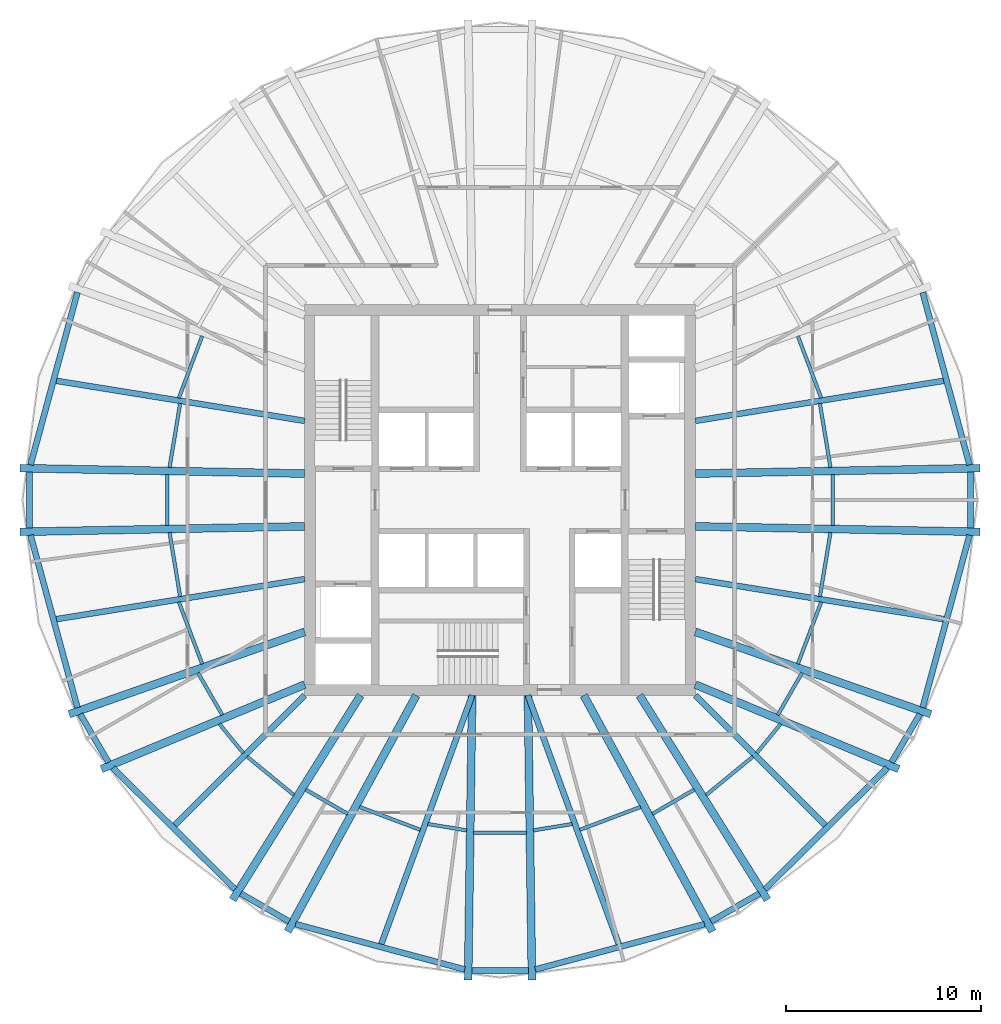
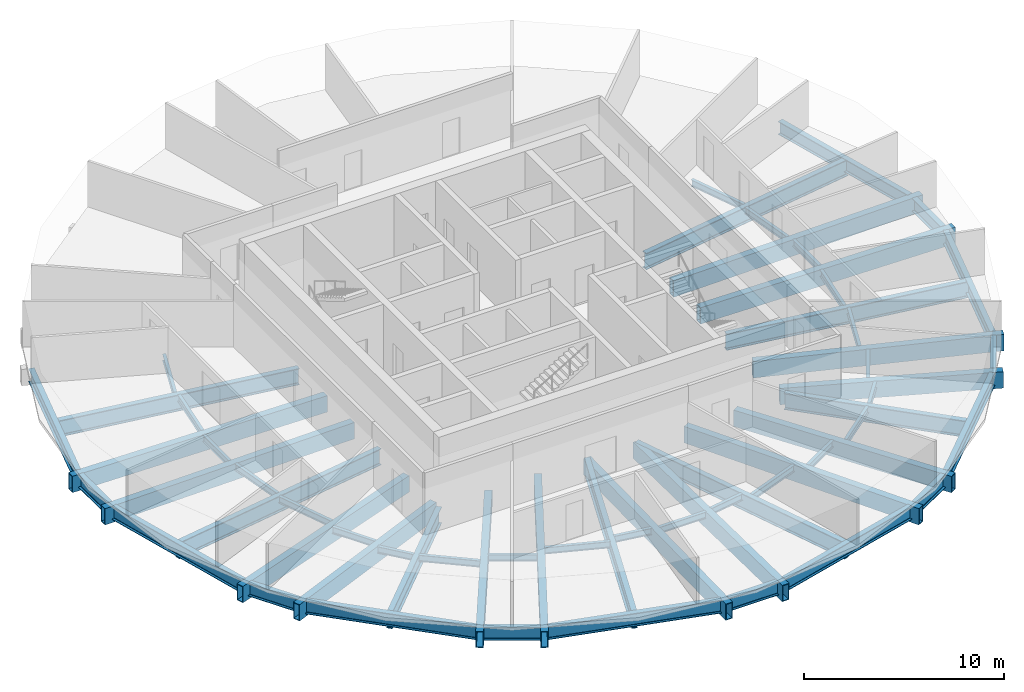
# One storey, part 1 of 6: 60 beams.
"""IFC4 building model written with IfcOpenShell, lengths in metres."""

from ifc_helpers import new_model, si_unit, direction, frame, origin, origin_2d, place, context, subcontext, project, spatial, hollow_rectangle, i_section, extrude, material, material_profile, profile_set, type_object, element, save


model = new_model("IFC4")

# Units and contexts
model_context = context("Model", 3, precision=1e-05, world=origin(), true_north=direction((0.0, 1.0)))
body_context = subcontext(model_context, "Body", "Model", "MODEL_VIEW")
ifc_project = project(units=[si_unit("LENGTHUNIT", "METRE"), si_unit("AREAUNIT", "SQUARE_METRE"), si_unit("VOLUMEUNIT", "CUBIC_METRE"), si_unit("PLANEANGLEUNIT", "RADIAN"), si_unit("MASSUNIT", "GRAM", prefix="KILO")], contexts=[model_context])

# Site, building, storey
site_placement = place(None, origin())
site = spatial("IfcSite", under=ifc_project, at=site_placement, CompositionType="ELEMENT")
building_placement = place(site_placement, origin())
building = spatial("IfcBuilding", under=site, at=building_placement, Name="Golbaran Civic Tower", CompositionType="ELEMENT")
storey_placement = place(building_placement, frame((0.0, 0.0, 114.0)))
storey = spatial("IfcBuildingStorey", under=building, at=storey_placement, Name="L27", CompositionType="ELEMENT", Elevation=114.0)

# Beams
ifc_material = material(Name="Steel S355", Category="steel")
ifc_material_profile_1 = material_profile(ifc_material, i_section(OverallWidth=0.300048828125, OverallDepth=0.800048828125, WebThickness=0.017578125, FlangeThickness=0.032958984375, FilletRadius=0.030029296875, at=origin_2d()), Name="HEB 800")
ifc_profile_set_1 = profile_set([ifc_material_profile_1], Name="Steel S355")
beam_type_1 = type_object("IfcBeamType", Name="EDGE BEAM HEB 800", PredefinedType="BEAM", material=ifc_profile_set_1)
for number, where, z_axis, x_axis, name in (
    (1, (24.034423828125, 1.80029296875, -0.60009765625), (-0.262489598667, 0.96493482194, 0.0), (-0.96493482194, -0.262489598667, 0.0), "Edge beam 3.73 L27"),
    (2, (-21.633056640625, 10.6279296875, -0.60009765625), (-0.262489598667, -0.96493482194, 0.0), (0.96493482194, -0.262489598667, 0.0), "Edge beam 153.73 L27"),
):
    element("IfcBeam", number, at=place(storey_placement, frame(where, z_axis=z_axis, x_axis=x_axis)), inside=storey, type_object=beam_type_1, Name=name, PredefinedType="BEAM", context=body_context, shape_type="SweptSolid", body=[
        extrude(i_section(OverallWidth=0.300048828125, OverallDepth=0.800048828125, WebThickness=0.017578125, FlangeThickness=0.032958984375, FilletRadius=0.030029296875, at=origin_2d()), origin(), (0.0, 0.0, 1.0), 9.1484375),
    ])
beam_1_placement = place(storey_placement, frame((-24.083251953125, 1.441162109375, -0.60009765625), z_axis=(0.0, -1.0, 0.0), x_axis=(1.0, 0.0, 0.0)))
element("IfcBeam", 3, at=beam_1_placement, inside=storey, type_object=beam_type_1, Name="Edge beam 176.27 L27", PredefinedType="BEAM", context=body_context, shape_type="SweptSolid", body=[
    extrude(i_section(OverallWidth=0.300048828125, OverallDepth=0.800048828125, WebThickness=0.017578125, FlangeThickness=0.032958984375, FilletRadius=0.030029296875, at=origin_2d()), origin(), (0.0, 0.0, 1.0), 2.88232421875),
])
beam_2_placement = place(storey_placement, frame((-24.034423828125, -1.80029296875, -0.60009765625), z_axis=(0.262489598667, -0.96493482194, 0.0), x_axis=(0.96493482194, 0.262489598667, 0.0)))
element("IfcBeam", 4, at=beam_2_placement, inside=storey, type_object=beam_type_1, Name="Edge beam 183.73 L27", PredefinedType="BEAM", context=body_context, shape_type="SweptSolid", body=[
    extrude(i_section(OverallWidth=0.300048828125, OverallDepth=0.800048828125, WebThickness=0.017578125, FlangeThickness=0.032958984375, FilletRadius=0.030029296875, at=origin_2d()), origin(), (0.0, 0.0, 1.0), 9.1484375),
])
beam_3_placement = place(storey_placement, frame((-21.492919921875, -10.96044921875, -0.60009765625), z_axis=(0.506247507241, -0.862388231258, 0.0), x_axis=(0.862388231258, 0.506247507241, 0.0)))
element("IfcBeam", 5, at=beam_3_placement, inside=storey, type_object=beam_type_1, Name="Edge beam 206.27 L27", PredefinedType="BEAM", context=body_context, shape_type="SweptSolid", body=[
    extrude(i_section(OverallWidth=0.300048828125, OverallDepth=0.800048828125, WebThickness=0.017578125, FlangeThickness=0.032958984375, FilletRadius=0.030029296875, at=origin_2d()), origin(), (0.0, 0.0, 1.0), 2.859375),
])
beam_4_placement = place(storey_placement, frame((-19.81494140625, -13.72021484375, -0.60009765625), z_axis=(0.709776097781, -0.704427349709, 0.0), x_axis=(0.704427349709, 0.709776097781, 0.0)))
element("IfcBeam", 6, at=beam_4_placement, inside=storey, type_object=beam_type_1, Name="Edge beam 213.73 L27", PredefinedType="BEAM", context=body_context, shape_type="SweptSolid", body=[
    extrude(i_section(OverallWidth=0.300048828125, OverallDepth=0.800048828125, WebThickness=0.017578125, FlangeThickness=0.032958984375, FilletRadius=0.030029296875, at=origin_2d()), origin(), (0.0, 0.0, 1.0), 8.809326171875),
])
beam_5_placement = place(storey_placement, frame((-13.275146484375, -20.145751953125, -0.60009765625), z_axis=(0.866138668345, -0.49980376869, 0.0), x_axis=(0.49980376869, 0.866138668345, 0.0)))
element("IfcBeam", 7, at=beam_5_placement, inside=storey, type_object=beam_type_1, Name="Edge beam 236.27 L27", PredefinedType="BEAM", context=body_context, shape_type="SweptSolid", body=[
    extrude(i_section(OverallWidth=0.300048828125, OverallDepth=0.800048828125, WebThickness=0.017578125, FlangeThickness=0.032958984375, FilletRadius=0.030029296875, at=origin_2d()), origin(), (0.0, 0.0, 1.0), 2.859130859375),
])
beam_6_placement = place(storey_placement, frame((-10.4638671875, -21.712646484375, -0.60009765625), z_axis=(0.965864614041, -0.259047384359, 0.0), x_axis=(0.259047384359, 0.965864614041, 0.0)))
element("IfcBeam", 8, at=beam_6_placement, inside=storey, type_object=beam_type_1, Name="Edge beam 243.73 L27", PredefinedType="BEAM", context=body_context, shape_type="SweptSolid", body=[
    extrude(i_section(OverallWidth=0.300048828125, OverallDepth=0.800048828125, WebThickness=0.017578125, FlangeThickness=0.032958984375, FilletRadius=0.030029296875, at=origin_2d()), origin(), (0.0, 0.0, 1.0), 8.963623046875),
])
beam_7_placement = place(storey_placement, frame((-1.44677734375, -24.082763671875, -0.60009765625), z_axis=(1.0, 0.0, 0.0), x_axis=(0.0, 1.0, 0.0)))
element("IfcBeam", 9, at=beam_7_placement, inside=storey, type_object=beam_type_1, Name="Edge beam 266.27 L27", PredefinedType="BEAM", context=body_context, shape_type="SweptSolid", body=[
    extrude(i_section(OverallWidth=0.300048828125, OverallDepth=0.800048828125, WebThickness=0.017578125, FlangeThickness=0.032958984375, FilletRadius=0.030029296875, at=origin_2d()), origin(), (0.0, 0.0, 1.0), 2.8935546875),
])
beam_8_placement = place(storey_placement, frame((1.80615234375, -24.03466796875, -0.60009765625), z_axis=(0.965864614041, 0.259047384359, 0.0), x_axis=(-0.259047384359, 0.965864614041, 0.0)))
element("IfcBeam", 10, at=beam_8_placement, inside=storey, type_object=beam_type_1, Name="Edge beam 273.73 L27", PredefinedType="BEAM", context=body_context, shape_type="SweptSolid", body=[
    extrude(i_section(OverallWidth=0.300048828125, OverallDepth=0.800048828125, WebThickness=0.017578125, FlangeThickness=0.032958984375, FilletRadius=0.030029296875, at=origin_2d()), origin(), (0.0, 0.0, 1.0), 8.963623046875),
])
beam_9_placement = place(storey_placement, frame((10.798828125, -21.57470703125, -0.60009765625), z_axis=(0.866138668345, 0.49980376869, 0.0), x_axis=(-0.49980376869, 0.866138668345, 0.0)))
element("IfcBeam", 11, at=beam_9_placement, inside=storey, type_object=beam_type_1, Name="Edge beam 296.27 L27", PredefinedType="BEAM", context=body_context, shape_type="SweptSolid", body=[
    extrude(i_section(OverallWidth=0.300048828125, OverallDepth=0.800048828125, WebThickness=0.017578125, FlangeThickness=0.032958984375, FilletRadius=0.030029296875, at=origin_2d()), origin(), (0.0, 0.0, 1.0), 2.859130859375),
])
beam_10_placement = place(storey_placement, frame((13.562255859375, -19.92578125, -0.60009765625), z_axis=(0.709776097781, 0.704427349709, 0.0), x_axis=(-0.704427349709, 0.709776097781, 0.0)))
element("IfcBeam", 12, at=beam_10_placement, inside=storey, type_object=beam_type_1, Name="Edge beam 303.73 L27", PredefinedType="BEAM", context=body_context, shape_type="SweptSolid", body=[
    extrude(i_section(OverallWidth=0.300048828125, OverallDepth=0.800048828125, WebThickness=0.017578125, FlangeThickness=0.032958984375, FilletRadius=0.030029296875, at=origin_2d()), origin(), (0.0, 0.0, 1.0), 8.809326171875),
])
beam_11_placement = place(storey_placement, frame((20.04541015625, -13.42626953125, -0.60009765625), z_axis=(0.506247507241, 0.862388231258, 0.0), x_axis=(-0.862388231258, 0.506247507241, 0.0)))
element("IfcBeam", 13, at=beam_11_placement, inside=storey, type_object=beam_type_1, Name="Edge beam 326.27 L27", PredefinedType="BEAM", context=body_context, shape_type="SweptSolid", body=[
    extrude(i_section(OverallWidth=0.300048828125, OverallDepth=0.800048828125, WebThickness=0.017578125, FlangeThickness=0.032958984375, FilletRadius=0.030029296875, at=origin_2d()), origin(), (0.0, 0.0, 1.0), 2.859375),
])
beam_12_placement = place(storey_placement, frame((21.633056640625, -10.6279296875, -0.60009765625), z_axis=(0.262489598667, 0.96493482194, 0.0), x_axis=(-0.96493482194, 0.262489598667, 0.0)))
element("IfcBeam", 14, at=beam_12_placement, inside=storey, type_object=beam_type_1, Name="Edge beam 333.73 L27", PredefinedType="BEAM", context=body_context, shape_type="SweptSolid", body=[
    extrude(i_section(OverallWidth=0.300048828125, OverallDepth=0.800048828125, WebThickness=0.017578125, FlangeThickness=0.032958984375, FilletRadius=0.030029296875, at=origin_2d()), origin(), (0.0, 0.0, 1.0), 9.1484375),
])
beam_13_placement = place(storey_placement, frame((24.083251953125, -1.441162109375, -0.60009765625), z_axis=(0.0, 1.0, 0.0), x_axis=(-1.0, 0.0, 0.0)))
element("IfcBeam", 15, at=beam_13_placement, inside=storey, type_object=beam_type_1, Name="Edge beam 356.27 L27", PredefinedType="BEAM", context=body_context, shape_type="SweptSolid", body=[
    extrude(i_section(OverallWidth=0.300048828125, OverallDepth=0.800048828125, WebThickness=0.017578125, FlangeThickness=0.032958984375, FilletRadius=0.030029296875, at=origin_2d()), origin(), (0.0, 0.0, 1.0), 2.88232421875),
])
ifc_material_profile_2 = material_profile(ifc_material, i_section(OverallWidth=0.179931640625, OverallDepth=0.39990234375, WebThickness=0.008544921875, FlangeThickness=0.013427734375, FilletRadius=0.02099609375, at=origin_2d()), Name="IPE 400")
ifc_profile_set_2 = profile_set([ifc_material_profile_2], Name="Steel S355")
beam_type_2 = type_object("IfcBeamType", Name="FLOOR INFILL BEAM IPE 400", PredefinedType="BEAM", material=ifc_profile_set_2)
beam_14_placement = place(storey_placement, frame((16.91650390625, 1.663330078125, -0.39990234375), z_axis=(-0.16270951432, 0.986674016051, 0.0), x_axis=(-0.986674016051, -0.16270951432, 0.0)))
element("IfcBeam", 16, at=beam_14_placement, inside=storey, type_object=beam_type_2, Name="Infill beam 9.37 L27", PredefinedType="BEAM", context=body_context, shape_type="SweptSolid", body=[
    extrude(i_section(OverallWidth=0.179931640625, OverallDepth=0.39990234375, WebThickness=0.008544921875, FlangeThickness=0.013427734375, FilletRadius=0.02099609375, at=origin_2d()), origin(), (0.0, 0.0, 1.0), 3.328125),
])
for number, where, z_axis, x_axis, name in (
    (17, (16.442626953125, 5.22119140625, -0.39990234375), (-0.352346079716, 0.935869777324, 0.0), (-0.935869777324, -0.352346079716, 0.0), "Infill beam 20.63 L27"),
    (18, (-15.247802734375, 8.394775390625, -0.39990234375), (-0.352346079716, -0.935869777324, 0.0), (0.935869777324, -0.352346079716, 0.0), "Infill beam 159.37 L27"),
):
    element("IfcBeam", number, at=place(storey_placement, frame(where, z_axis=z_axis, x_axis=x_axis)), inside=storey, type_object=beam_type_2, Name=name, PredefinedType="BEAM", context=body_context, shape_type="SweptSolid", body=[
        extrude(i_section(OverallWidth=0.179931640625, OverallDepth=0.39990234375, WebThickness=0.008544921875, FlangeThickness=0.013427734375, FilletRadius=0.02099609375, at=origin_2d()), origin(), (0.0, 0.0, 1.0), 3.39111328125),
    ])
beam_15_placement = place(storey_placement, frame((-16.375, 4.947021484375, -0.39990234375), z_axis=(-0.16270951432, -0.986674016051, 0.0), x_axis=(0.986674016051, -0.16270951432, 0.0)))
element("IfcBeam", 19, at=beam_15_placement, inside=storey, type_object=beam_type_2, Name="Infill beam 170.63 L27", PredefinedType="BEAM", context=body_context, shape_type="SweptSolid", body=[
    extrude(i_section(OverallWidth=0.179931640625, OverallDepth=0.39990234375, WebThickness=0.008544921875, FlangeThickness=0.013427734375, FilletRadius=0.02099609375, at=origin_2d()), origin(), (0.0, 0.0, 1.0), 3.328125),
])
beam_16_placement = place(storey_placement, frame((-17.04150390625, 1.3056640625, -0.39990234375), z_axis=(0.0, -1.0, 0.0), x_axis=(1.0, 0.0, 0.0)))
element("IfcBeam", 20, at=beam_16_placement, inside=storey, type_object=beam_type_2, Name="Infill beam 180.00 L27", PredefinedType="BEAM", context=body_context, shape_type="SweptSolid", body=[
    extrude(i_section(OverallWidth=0.179931640625, OverallDepth=0.39990234375, WebThickness=0.008544921875, FlangeThickness=0.013427734375, FilletRadius=0.02099609375, at=origin_2d()), origin(), (0.0, 0.0, 1.0), 2.611328125),
])
beam_17_placement = place(storey_placement, frame((-16.91650390625, -1.663330078125, -0.39990234375), z_axis=(0.16270951432, -0.986674016051, 0.0), x_axis=(0.986674016051, 0.16270951432, 0.0)))
element("IfcBeam", 21, at=beam_17_placement, inside=storey, type_object=beam_type_2, Name="Infill beam 189.37 L27", PredefinedType="BEAM", context=body_context, shape_type="SweptSolid", body=[
    extrude(i_section(OverallWidth=0.179931640625, OverallDepth=0.39990234375, WebThickness=0.008544921875, FlangeThickness=0.013427734375, FilletRadius=0.02099609375, at=origin_2d()), origin(), (0.0, 0.0, 1.0), 3.328125),
])
beam_18_placement = place(storey_placement, frame((-16.442626953125, -5.22119140625, -0.39990234375), z_axis=(0.352346079716, -0.935869777324, 0.0), x_axis=(0.935869777324, 0.352346079716, 0.0)))
element("IfcBeam", 22, at=beam_18_placement, inside=storey, type_object=beam_type_2, Name="Infill beam 200.63 L27", PredefinedType="BEAM", context=body_context, shape_type="SweptSolid", body=[
    extrude(i_section(OverallWidth=0.179931640625, OverallDepth=0.39990234375, WebThickness=0.008544921875, FlangeThickness=0.013427734375, FilletRadius=0.02099609375, at=origin_2d()), origin(), (0.0, 0.0, 1.0), 3.39111328125),
])
beam_19_placement = place(storey_placement, frame((-15.461669921875, -8.850830078125, -0.39990234375), z_axis=(0.499968694491, -0.866043477274, 0.0), x_axis=(0.866043477274, 0.499968694491, 0.0)))
element("IfcBeam", 23, at=beam_19_placement, inside=storey, type_object=beam_type_2, Name="Infill beam 210.00 L27", PredefinedType="BEAM", context=body_context, shape_type="SweptSolid", body=[
    extrude(i_section(OverallWidth=0.179931640625, OverallDepth=0.39990234375, WebThickness=0.008544921875, FlangeThickness=0.013427734375, FilletRadius=0.02099609375, at=origin_2d()), origin(), (0.0, 0.0, 1.0), 2.489013671875),
])
beam_20_placement = place(storey_placement, frame((-14.36962890625, -11.459228515625, -0.39990234375), z_axis=(0.634252882111, -0.773125657014, 0.0), x_axis=(0.773125657014, 0.634252882111, 0.0)))
element("IfcBeam", 24, at=beam_20_placement, inside=storey, type_object=beam_type_2, Name="Infill beam 219.37 L27", PredefinedType="BEAM", context=body_context, shape_type="SweptSolid", body=[
    extrude(i_section(OverallWidth=0.179931640625, OverallDepth=0.39990234375, WebThickness=0.008544921875, FlangeThickness=0.013427734375, FilletRadius=0.02099609375, at=origin_2d()), origin(), (0.0, 0.0, 1.0), 1.937255859375),
])
beam_21_placement = place(storey_placement, frame((-12.95068359375, -13.134521484375, -0.39990234375), z_axis=(0.773099052003, -0.634285311033, 0.0), x_axis=(0.634285311033, 0.773099052003, 0.0)))
element("IfcBeam", 25, at=beam_21_placement, inside=storey, type_object=beam_type_2, Name="Infill beam 230.63 L27", PredefinedType="BEAM", context=body_context, shape_type="SweptSolid", body=[
    extrude(i_section(OverallWidth=0.179931640625, OverallDepth=0.39990234375, WebThickness=0.008544921875, FlangeThickness=0.013427734375, FilletRadius=0.02099609375, at=origin_2d()), origin(), (0.0, 0.0, 1.0), 3.107666015625),
])
beam_22_placement = place(storey_placement, frame((-9.94921875, -14.827392578125, -0.39990234375), z_axis=(0.866044807862, -0.499966389646, 0.0), x_axis=(0.499966389646, 0.866044807862, 0.0)))
element("IfcBeam", 26, at=beam_22_placement, inside=storey, type_object=beam_type_2, Name="Infill beam 240.00 L27", PredefinedType="BEAM", context=body_context, shape_type="SweptSolid", body=[
    extrude(i_section(OverallWidth=0.179931640625, OverallDepth=0.39990234375, WebThickness=0.008544921875, FlangeThickness=0.013427734375, FilletRadius=0.02099609375, at=origin_2d()), origin(), (0.0, 0.0, 1.0), 2.483642578125),
])
beam_23_placement = place(storey_placement, frame((-7.194580078125, -15.713623046875, -0.39990234375), z_axis=(0.935854854425, -0.352385714024, 0.0), x_axis=(0.352385714024, 0.935854854425, 0.0)))
element("IfcBeam", 27, at=beam_23_placement, inside=storey, type_object=beam_type_2, Name="Infill beam 249.37 L27", PredefinedType="BEAM", context=body_context, shape_type="SweptSolid", body=[
    extrude(i_section(OverallWidth=0.179931640625, OverallDepth=0.39990234375, WebThickness=0.008544921875, FlangeThickness=0.013427734375, FilletRadius=0.02099609375, at=origin_2d()), origin(), (0.0, 0.0, 1.0), 3.326904296875),
])
beam_24_placement = place(storey_placement, frame((-3.69482421875, -16.586181640625, -0.39990234375), z_axis=(0.986661041804, -0.162788170904, 0.0), x_axis=(0.162788170904, 0.986661041804, 0.0)))
element("IfcBeam", 28, at=beam_24_placement, inside=storey, type_object=beam_type_2, Name="Infill beam 260.63 L27", PredefinedType="BEAM", context=body_context, shape_type="SweptSolid", body=[
    extrude(i_section(OverallWidth=0.179931640625, OverallDepth=0.39990234375, WebThickness=0.008544921875, FlangeThickness=0.013427734375, FilletRadius=0.02099609375, at=origin_2d()), origin(), (0.0, 0.0, 1.0), 2.015625),
])
beam_25_placement = place(storey_placement, frame((-1.34765625, -17.04150390625, -0.39990234375), z_axis=(1.0, 0.0, 0.0), x_axis=(0.0, 1.0, 0.0)))
element("IfcBeam", 29, at=beam_25_placement, inside=storey, type_object=beam_type_2, Name="Infill beam 270.00 L27", PredefinedType="BEAM", context=body_context, shape_type="SweptSolid", body=[
    extrude(i_section(OverallWidth=0.179931640625, OverallDepth=0.39990234375, WebThickness=0.008544921875, FlangeThickness=0.013427734375, FilletRadius=0.02099609375, at=origin_2d()), origin(), (0.0, 0.0, 1.0), 2.6953125),
])
beam_26_placement = place(storey_placement, frame((1.7060546875, -16.914306640625, -0.39990234375), z_axis=(0.986661041804, 0.162788170904, 0.0), x_axis=(-0.162788170904, 0.986661041804, 0.0)))
element("IfcBeam", 30, at=beam_26_placement, inside=storey, type_object=beam_type_2, Name="Infill beam 279.37 L27", PredefinedType="BEAM", context=body_context, shape_type="SweptSolid", body=[
    extrude(i_section(OverallWidth=0.179931640625, OverallDepth=0.39990234375, WebThickness=0.008544921875, FlangeThickness=0.013427734375, FilletRadius=0.02099609375, at=origin_2d()), origin(), (0.0, 0.0, 1.0), 2.015625),
])
beam_27_placement = place(storey_placement, frame((4.0810546875, -16.885986328125, -0.39990234375), z_axis=(0.935854854425, 0.352385714024, 0.0), x_axis=(-0.352385714024, 0.935854854425, 0.0)))
element("IfcBeam", 31, at=beam_27_placement, inside=storey, type_object=beam_type_2, Name="Infill beam 290.63 L27", PredefinedType="BEAM", context=body_context, shape_type="SweptSolid", body=[
    extrude(i_section(OverallWidth=0.179931640625, OverallDepth=0.39990234375, WebThickness=0.008544921875, FlangeThickness=0.013427734375, FilletRadius=0.02099609375, at=origin_2d()), origin(), (0.0, 0.0, 1.0), 3.326904296875),
])
beam_28_placement = place(storey_placement, frame((7.79833984375, -16.069091796875, -0.39990234375), z_axis=(0.866044807862, 0.499966389646, 0.0), x_axis=(-0.499966389646, 0.866044807862, 0.0)))
element("IfcBeam", 32, at=beam_28_placement, inside=storey, type_object=beam_type_2, Name="Infill beam 300.00 L27", PredefinedType="BEAM", context=body_context, shape_type="SweptSolid", body=[
    extrude(i_section(OverallWidth=0.179931640625, OverallDepth=0.39990234375, WebThickness=0.008544921875, FlangeThickness=0.013427734375, FilletRadius=0.02099609375, at=origin_2d()), origin(), (0.0, 0.0, 1.0), 2.483642578125),
])
beam_29_placement = place(storey_placement, frame((10.548095703125, -15.105712890625, -0.39990234375), z_axis=(0.773099052003, 0.634285311033, 0.0), x_axis=(-0.634285311033, 0.773099052003, 0.0)))
element("IfcBeam", 33, at=beam_29_placement, inside=storey, type_object=beam_type_2, Name="Infill beam 309.37 L27", PredefinedType="BEAM", context=body_context, shape_type="SweptSolid", body=[
    extrude(i_section(OverallWidth=0.179931640625, OverallDepth=0.39990234375, WebThickness=0.008544921875, FlangeThickness=0.013427734375, FilletRadius=0.02099609375, at=origin_2d()), origin(), (0.0, 0.0, 1.0), 3.107666015625),
])
beam_30_placement = place(storey_placement, frame((13.140869140625, -12.95703125, -0.39990234375), z_axis=(0.634252882111, 0.773125657014, 0.0), x_axis=(-0.773125657014, 0.634252882111, 0.0)))
element("IfcBeam", 34, at=beam_30_placement, inside=storey, type_object=beam_type_2, Name="Infill beam 320.63 L27", PredefinedType="BEAM", context=body_context, shape_type="SweptSolid", body=[
    extrude(i_section(OverallWidth=0.179931640625, OverallDepth=0.39990234375, WebThickness=0.008544921875, FlangeThickness=0.013427734375, FilletRadius=0.02099609375, at=origin_2d()), origin(), (0.0, 0.0, 1.0), 1.937255859375),
])
beam_31_placement = place(storey_placement, frame((14.21728515625, -11.00634765625, -0.39990234375), z_axis=(0.499968694491, 0.866043477274, 0.0), x_axis=(-0.866043477274, 0.499968694491, 0.0)))
element("IfcBeam", 35, at=beam_31_placement, inside=storey, type_object=beam_type_2, Name="Infill beam 330.00 L27", PredefinedType="BEAM", context=body_context, shape_type="SweptSolid", body=[
    extrude(i_section(OverallWidth=0.179931640625, OverallDepth=0.39990234375, WebThickness=0.008544921875, FlangeThickness=0.013427734375, FilletRadius=0.02099609375, at=origin_2d()), origin(), (0.0, 0.0, 1.0), 2.489013671875),
])
beam_32_placement = place(storey_placement, frame((15.247802734375, -8.394775390625, -0.39990234375), z_axis=(0.352346079716, 0.935869777324, 0.0), x_axis=(-0.935869777324, 0.352346079716, 0.0)))
element("IfcBeam", 36, at=beam_32_placement, inside=storey, type_object=beam_type_2, Name="Infill beam 339.37 L27", PredefinedType="BEAM", context=body_context, shape_type="SweptSolid", body=[
    extrude(i_section(OverallWidth=0.179931640625, OverallDepth=0.39990234375, WebThickness=0.008544921875, FlangeThickness=0.013427734375, FilletRadius=0.02099609375, at=origin_2d()), origin(), (0.0, 0.0, 1.0), 3.39111328125),
])
beam_33_placement = place(storey_placement, frame((16.375, -4.947021484375, -0.39990234375), z_axis=(0.16270951432, 0.986674016051, 0.0), x_axis=(-0.986674016051, 0.16270951432, 0.0)))
element("IfcBeam", 37, at=beam_33_placement, inside=storey, type_object=beam_type_2, Name="Infill beam 350.63 L27", PredefinedType="BEAM", context=body_context, shape_type="SweptSolid", body=[
    extrude(i_section(OverallWidth=0.179931640625, OverallDepth=0.39990234375, WebThickness=0.008544921875, FlangeThickness=0.013427734375, FilletRadius=0.02099609375, at=origin_2d()), origin(), (0.0, 0.0, 1.0), 3.328125),
])
beam_34_placement = place(storey_placement, frame((17.04150390625, -1.3056640625, -0.39990234375), z_axis=(0.0, 1.0, 0.0), x_axis=(-1.0, 0.0, 0.0)))
element("IfcBeam", 38, at=beam_34_placement, inside=storey, type_object=beam_type_2, Name="Infill beam 0.00 L27", PredefinedType="BEAM", context=body_context, shape_type="SweptSolid", body=[
    extrude(i_section(OverallWidth=0.179931640625, OverallDepth=0.39990234375, WebThickness=0.008544921875, FlangeThickness=0.013427734375, FilletRadius=0.02099609375, at=origin_2d()), origin(), (0.0, 0.0, 1.0), 2.611328125),
])
ifc_material_profile_3 = material_profile(ifc_material, hollow_rectangle(XDim=0.39990234375, YDim=1.0, WallThickness=0.0400390625, at=origin_2d()), Name="BOX 1000x400x40")
ifc_profile_set_3 = profile_set([ifc_material_profile_3], Name="Steel S355")
beam_type_3 = type_object("IfcBeamType", Name="RADIAL FLOOR BEAM BOX 1000x400x40", PredefinedType="BEAM", material=ifc_profile_set_3)
for number, where, z_axis, x_axis, name in (
    (39, (10.0, 1.35009765625, -0.7099609375), (0.999814712437, 0.019249436227, 0.0), (-0.019249436227, 0.999814712437, 0.0), "Radial beam 3.73 L27"),
    (40, (-10.0, 1.35009765625, -0.7099609375), (-0.999814712437, 0.019249436227, 0.0), (-0.019249436227, -0.999814712437, 0.0), "Radial beam 176.27 L27"),
    (41, (-10.0, -1.35009765625, -0.7099609375), (-0.999814712437, -0.019249436227, 0.0), (0.019249436227, -0.999814712437, 0.0), "Radial beam 183.73 L27"),
):
    element("IfcBeam", number, at=place(storey_placement, frame(where, z_axis=z_axis, x_axis=x_axis)), inside=storey, type_object=beam_type_3, Name=name, PredefinedType="BEAM", context=body_context, shape_type="SweptSolid", body=[
        extrude(hollow_rectangle(XDim=0.39990234375, YDim=1.0, WallThickness=0.0400390625, at=origin_2d()), origin(), (0.0, 0.0, 1.0), 14.57275390625),
    ])
beam_35_placement = place(storey_placement, frame((-10.0, -6.75, -0.7099609375), z_axis=(-0.943931648294, -0.330140944672, 0.0), x_axis=(0.330140944672, -0.943931648294, 0.0)))
element("IfcBeam", 42, at=beam_35_placement, inside=storey, type_object=beam_type_3, Name="Radial beam 206.27 L27", PredefinedType="BEAM", context=body_context, shape_type="SweptSolid", body=[
    extrude(hollow_rectangle(XDim=0.39990234375, YDim=1.0, WallThickness=0.0400390625, at=origin_2d()), origin(), (0.0, 0.0, 1.0), 12.771240234375),
])
beam_36_placement = place(storey_placement, frame((-10.0, -9.449951171875, -0.7099609375), z_axis=(-0.9235454798, -0.383488913452, 0.0), x_axis=(0.383488913452, -0.9235454798, 0.0)))
element("IfcBeam", 43, at=beam_36_placement, inside=storey, type_object=beam_type_3, Name="Radial beam 213.73 L27", PredefinedType="BEAM", context=body_context, shape_type="SweptSolid", body=[
    extrude(hollow_rectangle(XDim=0.39990234375, YDim=1.0, WallThickness=0.0400390625, at=origin_2d()), origin(), (0.0, 0.0, 1.0), 11.267822265625),
])
beam_37_placement = place(storey_placement, frame((-7.142822265625, -10.0, -0.7099609375), z_axis=(-0.53021220472, -0.847864976259, 0.0), x_axis=(0.847864976259, -0.53021220472, 0.0)))
element("IfcBeam", 44, at=beam_37_placement, inside=storey, type_object=beam_type_3, Name="Radial beam 236.27 L27", PredefinedType="BEAM", context=body_context, shape_type="SweptSolid", body=[
    extrude(hollow_rectangle(XDim=0.39990234375, YDim=1.0, WallThickness=0.0400390625, at=origin_2d()), origin(), (0.0, 0.0, 1.0), 12.34716796875),
])
beam_38_placement = place(storey_placement, frame((-4.28564453125, -10.0, -0.7099609375), z_axis=(-0.478532881455, -0.878069633552, 0.0), x_axis=(0.878069633552, -0.478532881455, 0.0)))
element("IfcBeam", 45, at=beam_38_placement, inside=storey, type_object=beam_type_3, Name="Radial beam 243.73 L27", PredefinedType="BEAM", context=body_context, shape_type="SweptSolid", body=[
    extrude(hollow_rectangle(XDim=0.39990234375, YDim=1.0, WallThickness=0.0400390625, at=origin_2d()), origin(), (0.0, 0.0, 1.0), 13.771484375),
])
for number, where, z_axis, x_axis, name in (
    (46, (-1.428466796875, -10.0, -0.7099609375), (-0.014091132285, -0.999900715067, 0.0), (0.999900715067, -0.014091132285, 0.0), "Radial beam 266.27 L27"),
    (47, (1.428466796875, -10.0, -0.7099609375), (0.014091132285, -0.999900715067, 0.0), (0.999900715067, 0.014091132285, 0.0), "Radial beam 273.73 L27"),
):
    element("IfcBeam", number, at=place(storey_placement, frame(where, z_axis=z_axis, x_axis=x_axis)), inside=storey, type_object=beam_type_3, Name=name, PredefinedType="BEAM", context=body_context, shape_type="SweptSolid", body=[
        extrude(hollow_rectangle(XDim=0.39990234375, YDim=1.0, WallThickness=0.0400390625, at=origin_2d()), origin(), (0.0, 0.0, 1.0), 14.571044921875),
    ])
beam_39_placement = place(storey_placement, frame((4.28564453125, -10.0, -0.7099609375), z_axis=(0.478532881455, -0.878069633552, 0.0), x_axis=(0.878069633552, 0.478532881455, 0.0)))
element("IfcBeam", 48, at=beam_39_placement, inside=storey, type_object=beam_type_3, Name="Radial beam 296.27 L27", PredefinedType="BEAM", context=body_context, shape_type="SweptSolid", body=[
    extrude(hollow_rectangle(XDim=0.39990234375, YDim=1.0, WallThickness=0.0400390625, at=origin_2d()), origin(), (0.0, 0.0, 1.0), 13.771484375),
])
beam_40_placement = place(storey_placement, frame((7.142822265625, -10.0, -0.7099609375), z_axis=(0.53021220472, -0.847864976259, 0.0), x_axis=(0.847864976259, 0.53021220472, 0.0)))
element("IfcBeam", 49, at=beam_40_placement, inside=storey, type_object=beam_type_3, Name="Radial beam 303.73 L27", PredefinedType="BEAM", context=body_context, shape_type="SweptSolid", body=[
    extrude(hollow_rectangle(XDim=0.39990234375, YDim=1.0, WallThickness=0.0400390625, at=origin_2d()), origin(), (0.0, 0.0, 1.0), 12.34716796875),
])
beam_41_placement = place(storey_placement, frame((10.0, -9.449951171875, -0.7099609375), z_axis=(0.9235454798, -0.383488913452, 0.0), x_axis=(0.383488913452, 0.9235454798, 0.0)))
element("IfcBeam", 50, at=beam_41_placement, inside=storey, type_object=beam_type_3, Name="Radial beam 326.27 L27", PredefinedType="BEAM", context=body_context, shape_type="SweptSolid", body=[
    extrude(hollow_rectangle(XDim=0.39990234375, YDim=1.0, WallThickness=0.0400390625, at=origin_2d()), origin(), (0.0, 0.0, 1.0), 11.267822265625),
])
beam_42_placement = place(storey_placement, frame((10.0, -6.75, -0.7099609375), z_axis=(0.943931648294, -0.330140944672, 0.0), x_axis=(0.330140944672, 0.943931648294, 0.0)))
element("IfcBeam", 51, at=beam_42_placement, inside=storey, type_object=beam_type_3, Name="Radial beam 333.73 L27", PredefinedType="BEAM", context=body_context, shape_type="SweptSolid", body=[
    extrude(hollow_rectangle(XDim=0.39990234375, YDim=1.0, WallThickness=0.0400390625, at=origin_2d()), origin(), (0.0, 0.0, 1.0), 12.771240234375),
])
beam_43_placement = place(storey_placement, frame((10.0, -1.35009765625, -0.7099609375), z_axis=(0.999814712437, -0.019249436227, 0.0), x_axis=(0.019249436227, 0.999814712437, 0.0)))
element("IfcBeam", 52, at=beam_43_placement, inside=storey, type_object=beam_type_3, Name="Radial beam 356.27 L27", PredefinedType="BEAM", context=body_context, shape_type="SweptSolid", body=[
    extrude(hollow_rectangle(XDim=0.39990234375, YDim=1.0, WallThickness=0.0400390625, at=origin_2d()), origin(), (0.0, 0.0, 1.0), 14.57275390625),
])
ifc_material_profile_4 = material_profile(ifc_material, i_section(OverallWidth=0.300048828125, OverallDepth=1.0, WebThickness=0.01904296875, FlangeThickness=0.035888671875, FilletRadius=0.030029296875, at=origin_2d()), Name="HEB 1000")
ifc_profile_set_4 = profile_set([ifc_material_profile_4], Name="Steel S355")
beam_type_4 = type_object("IfcBeamType", Name="SECONDARY FLOOR BEAM HEB 1000", PredefinedType="BEAM", material=ifc_profile_set_4)
for number, where, z_axis, x_axis, name in (
    (53, (10.0, 4.050048828125, -0.7099609375), (0.987231328216, 0.159293140433, 0.0), (-0.159293140433, 0.987231328216, 0.0), "Secondary beam 15.00 L27"),
    (54, (-10.0, 4.050048828125, -0.7099609375), (-0.987231328216, 0.159293140433, 0.0), (-0.159293140433, -0.987231328216, 0.0), "Secondary beam 165.00 L27"),
    (55, (-10.0, -4.050048828125, -0.7099609375), (-0.987231328216, -0.159293140433, 0.0), (0.159293140433, -0.987231328216, 0.0), "Secondary beam 195.00 L27"),
):
    element("IfcBeam", number, at=place(storey_placement, frame(where, z_axis=z_axis, x_axis=x_axis)), inside=storey, type_object=beam_type_4, Name=name, PredefinedType="BEAM", context=body_context, shape_type="SweptSolid", body=[
        extrude(i_section(OverallWidth=0.300048828125, OverallDepth=1.0, WebThickness=0.01904296875, FlangeThickness=0.035888671875, FilletRadius=0.030029296875, at=origin_2d()), origin(), (0.0, 0.0, 1.0), 13.0244140625),
    ])
beam_44_placement = place(storey_placement, frame((-10.0, -10.0, -0.7099609375), z_axis=(-0.707106781187, -0.707106781187, 0.0), x_axis=(0.707106781187, -0.707106781187, 0.0)))
element("IfcBeam", 56, at=beam_44_placement, inside=storey, type_object=beam_type_4, Name="Secondary beam 225.00 L27", PredefinedType="BEAM", context=body_context, shape_type="SweptSolid", body=[
    extrude(i_section(OverallWidth=0.300048828125, OverallDepth=1.0, WebThickness=0.01904296875, FlangeThickness=0.035888671875, FilletRadius=0.030029296875, at=origin_2d()), origin(), (0.0, 0.0, 1.0), 9.5546875),
])
for number, where, z_axis, x_axis, name in (
    (57, (-1.428466796875, -10.0, -0.7099609375), (-0.342968414201, -0.939346936366, 0.0), (0.939346936366, -0.342968414201, 0.0), "Secondary beam 255.00 L27"),
    (58, (1.428466796875, -10.0, -0.7099609375), (0.342968414201, -0.939346936366, 0.0), (0.939346936366, 0.342968414201, 0.0), "Secondary beam 285.00 L27"),
):
    element("IfcBeam", number, at=place(storey_placement, frame(where, z_axis=z_axis, x_axis=x_axis)), inside=storey, type_object=beam_type_4, Name=name, PredefinedType="BEAM", context=body_context, shape_type="SweptSolid", body=[
        extrude(i_section(OverallWidth=0.300048828125, OverallDepth=1.0, WebThickness=0.01904296875, FlangeThickness=0.035888671875, FilletRadius=0.030029296875, at=origin_2d()), origin(), (0.0, 0.0, 1.0), 13.70654296875),
    ])
beam_45_placement = place(storey_placement, frame((10.0, -10.0, -0.7099609375), z_axis=(0.707106781187, -0.707106781187, 0.0), x_axis=(0.707106781187, 0.707106781187, 0.0)))
element("IfcBeam", 59, at=beam_45_placement, inside=storey, type_object=beam_type_4, Name="Secondary beam 315.00 L27", PredefinedType="BEAM", context=body_context, shape_type="SweptSolid", body=[
    extrude(i_section(OverallWidth=0.300048828125, OverallDepth=1.0, WebThickness=0.01904296875, FlangeThickness=0.035888671875, FilletRadius=0.030029296875, at=origin_2d()), origin(), (0.0, 0.0, 1.0), 9.5546875),
])
beam_46_placement = place(storey_placement, frame((10.0, -4.050048828125, -0.7099609375), z_axis=(0.987231328216, -0.159293140433, 0.0), x_axis=(0.159293140433, 0.987231328216, 0.0)))
element("IfcBeam", 60, at=beam_46_placement, inside=storey, type_object=beam_type_4, Name="Secondary beam 345.00 L27", PredefinedType="BEAM", context=body_context, shape_type="SweptSolid", body=[
    extrude(i_section(OverallWidth=0.300048828125, OverallDepth=1.0, WebThickness=0.01904296875, FlangeThickness=0.035888671875, FilletRadius=0.030029296875, at=origin_2d()), origin(), (0.0, 0.0, 1.0), 13.0244140625),
])

save(model, "model.ifc")
